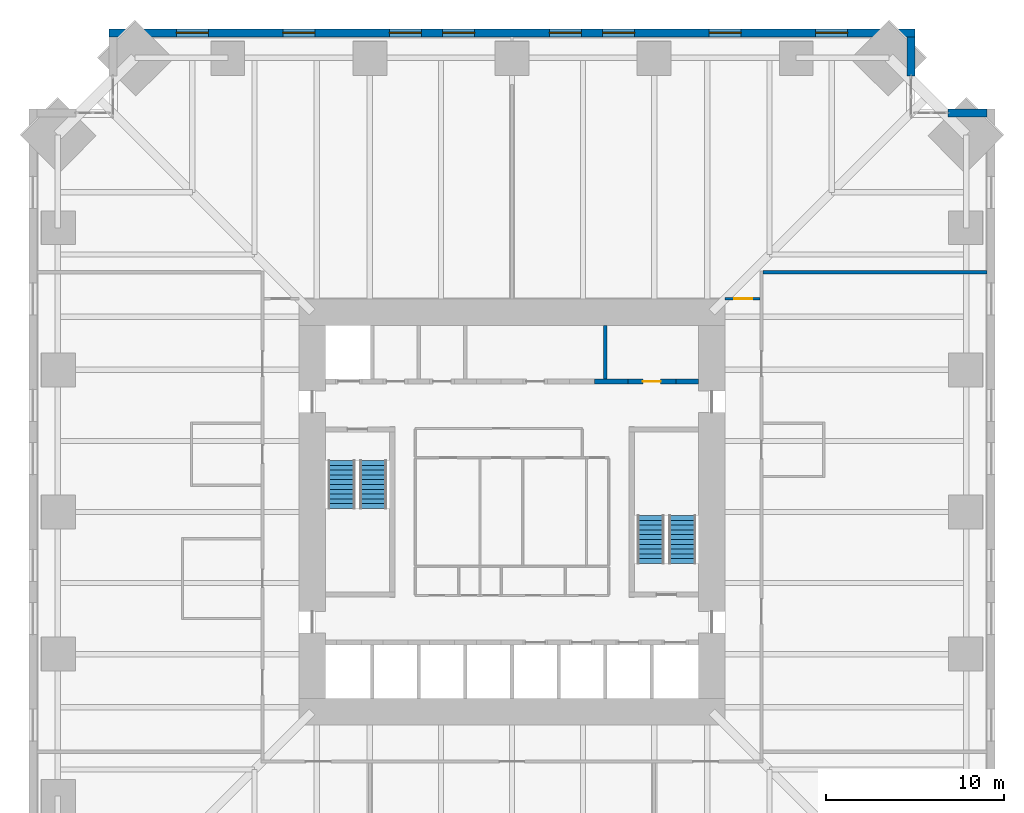
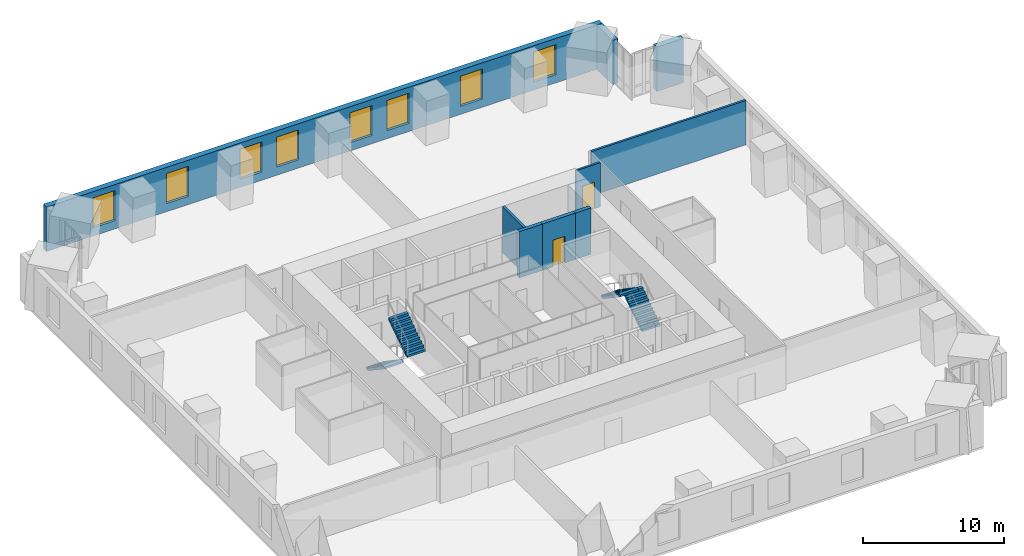
# One storey, part 15 of 16: 9 walls, 8 windows, 4 stair flights, 2 doors, 10 openings, 2 elements without a shape of their own.
"""IFC4 building model written with IfcOpenShell, lengths in metres."""

from ifc_helpers import new_model, si_unit, direction, frame, frame_2d, origin, place, context, subcontext, project, spatial, polyline, rectangle, outline, extrude, material, layer, layer_set, type_object, element, fill, aggregate, save


model = new_model("IFC4")

# Units and contexts
model_context = context("Model", 3, precision=1e-05, world=origin(), true_north=direction((0.0, 1.0)))
body_context = subcontext(model_context, "Body", "Model", "MODEL_VIEW")
ifc_project = project(units=[si_unit("LENGTHUNIT", "METRE"), si_unit("AREAUNIT", "SQUARE_METRE"), si_unit("VOLUMEUNIT", "CUBIC_METRE"), si_unit("PLANEANGLEUNIT", "RADIAN"), si_unit("MASSUNIT", "GRAM", prefix="KILO")], contexts=[model_context])

# Site, building, storey
site_placement = place(None, origin())
site = spatial("IfcSite", under=ifc_project, at=site_placement, CompositionType="ELEMENT")
building_placement = place(site_placement, origin())
building = spatial("IfcBuilding", under=site, at=building_placement, Name="Peilmerk Tower", CompositionType="ELEMENT")
storey_placement = place(building_placement, frame((0.0, 0.0, 131.800048828125)))
storey = spatial("IfcBuildingStorey", under=building, at=storey_placement, Name="L26", CompositionType="ELEMENT", Elevation=131.800048828125)

# Wall, openings, windows
ifc_material_1 = material(Name="Precast concrete C45/55, board-marked finish", Category="concrete")
ifc_layer_1 = layer(ifc_material_1, 0.449951171875)
ifc_layer_set_1 = layer_set([ifc_layer_1], Name="Precast concrete C45/55, board-marked finish")
wall_type_1 = type_object("IfcWallType", Name="EW1 450 precast concrete facade wall, board-marked", PredefinedType="SOLIDWALL", material=ifc_layer_set_1)
wall_1_placement = place(storey_placement, frame((22.699951171875, 26.97509765625, 0.0), z_axis=(0.0, 0.0, 1.0), x_axis=(-1.0, 0.0, 0.0)))
wall_1 = element("IfcWall", 1, at=wall_1_placement, inside=storey, type_object=wall_type_1, Name="Facade wall N L26", PredefinedType="SOLIDWALL", context=body_context, shape_type="SweptSolid", body=[
    extrude(rectangle(XDim=45.39990234375, YDim=0.449951171875, at=frame_2d((22.699951171875, 0.0))), origin(), (0.0, 0.0, 1.0), 3.829833984375),
])
opening_1_placement = place(wall_1_placement, frame((3.800048828125, 0.0, 0.699951171875)))
opening_1 = element("IfcOpeningElement", 2, at=opening_1_placement, cuts=wall_1, Name="Opening W1", PredefinedType="OPENING", context=body_context, shape_type="SweptSolid", body=[
    extrude(rectangle(XDim=1.800048828125, YDim=2.60009765625, at=frame_2d((0.89990234375, 1.300048828125))), frame((0.0, 0.23486328125, 0.0), z_axis=(0.0, -1.0, 0.0), x_axis=(1.0, 0.0, 0.0)), (0.0, 0.0, 1.0), 0.469970703125),
])
opening_2_placement = place(wall_1_placement, frame((9.800048828125, 0.0, 0.699951171875)))
opening_2 = element("IfcOpeningElement", 3, at=opening_2_placement, cuts=wall_1, Name="Opening W1", PredefinedType="OPENING", context=body_context, shape_type="SweptSolid", body=[
    extrude(rectangle(XDim=1.800048828125, YDim=2.60009765625, at=frame_2d((0.89990234375, 1.300048828125))), frame((0.0, 0.23486328125, 0.0), z_axis=(0.0, -1.0, 0.0), x_axis=(1.0, 0.0, 0.0)), (0.0, 0.0, 1.0), 0.469970703125),
])
opening_3_placement = place(wall_1_placement, frame((15.800048828125, 0.0, 0.699951171875)))
opening_3 = element("IfcOpeningElement", 4, at=opening_3_placement, cuts=wall_1, Name="Opening W1", PredefinedType="OPENING", context=body_context, shape_type="SweptSolid", body=[
    extrude(rectangle(XDim=1.800048828125, YDim=2.60009765625, at=frame_2d((0.89990234375, 1.300048828125))), frame((0.0, 0.23486328125, 0.0), z_axis=(0.0, -1.0, 0.0), x_axis=(1.0, 0.0, 0.0)), (0.0, 0.0, 1.0), 0.469970703125),
])
opening_4_placement = place(wall_1_placement, frame((18.800048828125, 0.0, 0.699951171875)))
opening_4 = element("IfcOpeningElement", 5, at=opening_4_placement, cuts=wall_1, Name="Opening W1", PredefinedType="OPENING", context=body_context, shape_type="SweptSolid", body=[
    extrude(rectangle(XDim=1.800048828125, YDim=2.60009765625, at=frame_2d((0.89990234375, 1.300048828125))), frame((0.0, 0.23486328125, 0.0), z_axis=(0.0, -1.0, 0.0), x_axis=(1.0, 0.0, 0.0)), (0.0, 0.0, 1.0), 0.469970703125),
])
opening_5_placement = place(wall_1_placement, frame((24.800048828125, 0.0, 0.699951171875)))
opening_5 = element("IfcOpeningElement", 6, at=opening_5_placement, cuts=wall_1, Name="Opening W1", PredefinedType="OPENING", context=body_context, shape_type="SweptSolid", body=[
    extrude(rectangle(XDim=1.800048828125, YDim=2.60009765625, at=frame_2d((0.89990234375, 1.300048828125))), frame((0.0, 0.23486328125, 0.0), z_axis=(0.0, -1.0, 0.0), x_axis=(1.0, 0.0, 0.0)), (0.0, 0.0, 1.0), 0.469970703125),
])
opening_6_placement = place(wall_1_placement, frame((27.800048828125, 0.0, 0.699951171875)))
opening_6 = element("IfcOpeningElement", 7, at=opening_6_placement, cuts=wall_1, Name="Opening W1", PredefinedType="OPENING", context=body_context, shape_type="SweptSolid", body=[
    extrude(rectangle(XDim=1.800048828125, YDim=2.60009765625, at=frame_2d((0.89990234375, 1.300048828125))), frame((0.0, 0.23486328125, 0.0), z_axis=(0.0, -1.0, 0.0), x_axis=(1.0, 0.0, 0.0)), (0.0, 0.0, 1.0), 0.469970703125),
])
opening_7_placement = place(wall_1_placement, frame((33.800048828125, 0.0, 0.699951171875)))
opening_7 = element("IfcOpeningElement", 8, at=opening_7_placement, cuts=wall_1, Name="Opening W1", PredefinedType="OPENING", context=body_context, shape_type="SweptSolid", body=[
    extrude(rectangle(XDim=1.800048828125, YDim=2.60009765625, at=frame_2d((0.89990234375, 1.300048828125))), frame((0.0, 0.23486328125, 0.0), z_axis=(0.0, -1.0, 0.0), x_axis=(1.0, 0.0, 0.0)), (0.0, 0.0, 1.0), 0.469970703125),
])
opening_8_placement = place(wall_1_placement, frame((39.800048828125, 0.0, 0.699951171875)))
opening_8 = element("IfcOpeningElement", 9, at=opening_8_placement, cuts=wall_1, Name="Opening W1", PredefinedType="OPENING", context=body_context, shape_type="SweptSolid", body=[
    extrude(rectangle(XDim=1.800048828125, YDim=2.60009765625, at=frame_2d((0.89990234375, 1.300048828125))), frame((0.0, 0.23486328125, 0.0), z_axis=(0.0, -1.0, 0.0), x_axis=(1.0, 0.0, 0.0)), (0.0, 0.0, 1.0), 0.469970703125),
])
ifc_material_2 = material(Name="Aluminium frame, clear double glazing", Category="aluminium")
window_type = type_object("IfcWindowType", Name="W1 1800x2600 office window", PartitioningType="SINGLE_PANEL", PredefinedType="WINDOW", material=ifc_material_2)
window_1_placement = place(opening_1_placement, origin())
window_1 = element("IfcWindow", 10, at=window_1_placement, inside=storey, type_object=window_type, Name="Window W1 L26", OverallHeight=2.60009765625, OverallWidth=1.800048828125, PartitioningType="SINGLE_PANEL", PredefinedType="WINDOW", context=body_context, shape_type="SweptSolid", body=[
    extrude(rectangle(XDim=1.800048828125, YDim=2.60009765625, at=frame_2d((0.89990234375, 1.300048828125))), frame((0.0, 0.030029296875, 0.0), z_axis=(0.0, -1.0, 0.0), x_axis=(1.0, 0.0, 0.0)), (0.0, 0.0, 1.0), 0.06005859375),
])
fill(opening_1, window_1)
window_2_placement = place(opening_2_placement, origin())
window_2 = element("IfcWindow", 11, at=window_2_placement, inside=storey, type_object=window_type, Name="Window W1 L26", OverallHeight=2.60009765625, OverallWidth=1.800048828125, PartitioningType="SINGLE_PANEL", PredefinedType="WINDOW", context=body_context, shape_type="SweptSolid", body=[
    extrude(rectangle(XDim=1.800048828125, YDim=2.60009765625, at=frame_2d((0.89990234375, 1.300048828125))), frame((0.0, 0.030029296875, 0.0), z_axis=(0.0, -1.0, 0.0), x_axis=(1.0, 0.0, 0.0)), (0.0, 0.0, 1.0), 0.06005859375),
])
fill(opening_2, window_2)
window_3_placement = place(opening_3_placement, origin())
window_3 = element("IfcWindow", 12, at=window_3_placement, inside=storey, type_object=window_type, Name="Window W1 L26", OverallHeight=2.60009765625, OverallWidth=1.800048828125, PartitioningType="SINGLE_PANEL", PredefinedType="WINDOW", context=body_context, shape_type="SweptSolid", body=[
    extrude(rectangle(XDim=1.800048828125, YDim=2.60009765625, at=frame_2d((0.89990234375, 1.300048828125))), frame((0.0, 0.030029296875, 0.0), z_axis=(0.0, -1.0, 0.0), x_axis=(1.0, 0.0, 0.0)), (0.0, 0.0, 1.0), 0.06005859375),
])
fill(opening_3, window_3)
window_4_placement = place(opening_4_placement, origin())
window_4 = element("IfcWindow", 13, at=window_4_placement, inside=storey, type_object=window_type, Name="Window W1 L26", OverallHeight=2.60009765625, OverallWidth=1.800048828125, PartitioningType="SINGLE_PANEL", PredefinedType="WINDOW", context=body_context, shape_type="SweptSolid", body=[
    extrude(rectangle(XDim=1.800048828125, YDim=2.60009765625, at=frame_2d((0.89990234375, 1.300048828125))), frame((0.0, 0.030029296875, 0.0), z_axis=(0.0, -1.0, 0.0), x_axis=(1.0, 0.0, 0.0)), (0.0, 0.0, 1.0), 0.06005859375),
])
fill(opening_4, window_4)
window_5_placement = place(opening_5_placement, origin())
window_5 = element("IfcWindow", 14, at=window_5_placement, inside=storey, type_object=window_type, Name="Window W1 L26", OverallHeight=2.60009765625, OverallWidth=1.800048828125, PartitioningType="SINGLE_PANEL", PredefinedType="WINDOW", context=body_context, shape_type="SweptSolid", body=[
    extrude(rectangle(XDim=1.800048828125, YDim=2.60009765625, at=frame_2d((0.89990234375, 1.300048828125))), frame((0.0, 0.030029296875, 0.0), z_axis=(0.0, -1.0, 0.0), x_axis=(1.0, 0.0, 0.0)), (0.0, 0.0, 1.0), 0.06005859375),
])
fill(opening_5, window_5)
window_6_placement = place(opening_6_placement, origin())
window_6 = element("IfcWindow", 15, at=window_6_placement, inside=storey, type_object=window_type, Name="Window W1 L26", OverallHeight=2.60009765625, OverallWidth=1.800048828125, PartitioningType="SINGLE_PANEL", PredefinedType="WINDOW", context=body_context, shape_type="SweptSolid", body=[
    extrude(rectangle(XDim=1.800048828125, YDim=2.60009765625, at=frame_2d((0.89990234375, 1.300048828125))), frame((0.0, 0.030029296875, 0.0), z_axis=(0.0, -1.0, 0.0), x_axis=(1.0, 0.0, 0.0)), (0.0, 0.0, 1.0), 0.06005859375),
])
fill(opening_6, window_6)
window_7_placement = place(opening_7_placement, origin())
window_7 = element("IfcWindow", 16, at=window_7_placement, inside=storey, type_object=window_type, Name="Window W1 L26", OverallHeight=2.60009765625, OverallWidth=1.800048828125, PartitioningType="SINGLE_PANEL", PredefinedType="WINDOW", context=body_context, shape_type="SweptSolid", body=[
    extrude(rectangle(XDim=1.800048828125, YDim=2.60009765625, at=frame_2d((0.89990234375, 1.300048828125))), frame((0.0, 0.030029296875, 0.0), z_axis=(0.0, -1.0, 0.0), x_axis=(1.0, 0.0, 0.0)), (0.0, 0.0, 1.0), 0.06005859375),
])
fill(opening_7, window_7)
window_8_placement = place(opening_8_placement, origin())
window_8 = element("IfcWindow", 17, at=window_8_placement, inside=storey, type_object=window_type, Name="Window W1 L26", OverallHeight=2.60009765625, OverallWidth=1.800048828125, PartitioningType="SINGLE_PANEL", PredefinedType="WINDOW", context=body_context, shape_type="SweptSolid", body=[
    extrude(rectangle(XDim=1.800048828125, YDim=2.60009765625, at=frame_2d((0.89990234375, 1.300048828125))), frame((0.0, 0.030029296875, 0.0), z_axis=(0.0, -1.0, 0.0), x_axis=(1.0, 0.0, 0.0)), (0.0, 0.0, 1.0), 0.06005859375),
])
fill(opening_8, window_8)

# Walls
for number, where, z_axis, x_axis, name in (
    (18, (22.47509765625, 24.5537109375, 0.0), (0.0, 0.0, 1.0), (0.0, 1.0, 0.0), "Facade wall NEA L26"),
    (19, (24.5537109375, 22.47509765625, 0.0), (0.0, 0.0, 1.0), (1.0, 0.0, 0.0), "Facade wall NEB L26"),
):
    element("IfcWall", number, at=place(storey_placement, frame(where, z_axis=z_axis, x_axis=x_axis)), inside=storey, type_object=wall_type_1, Name=name, PredefinedType="SOLIDWALL", context=body_context, shape_type="SweptSolid", body=[
        extrude(rectangle(XDim=2.1962890625, YDim=0.449951171875, at=frame_2d((1.09814453125, 0.0))), origin(), (0.0, 0.0, 1.0), 3.829833984375),
    ])

# Wall, opening, door
ifc_material_3 = material(Name="Calcium silicate block", Category="masonry")
ifc_layer_2 = layer(ifc_material_3, 0.14990234375)
ifc_layer_set_2 = layer_set([ifc_layer_2], Name="Calcium silicate block")
wall_type_2 = type_object("IfcWallType", Name="IW1 150 corridor partition, EI 60", PredefinedType="PARTITIONING", material=ifc_layer_set_2)
wall_2_placement = place(storey_placement, frame((12.0, 12.0, 0.0), z_axis=(0.0, 0.0, 1.0), x_axis=(1.0, 0.0, 0.0)))
wall_2 = element("IfcWall", 20, at=wall_2_placement, inside=storey, type_object=wall_type_2, Name="Corridor wall NE L26", PredefinedType="PARTITIONING", context=body_context, shape_type="SweptSolid", body=[
    extrude(rectangle(XDim=1.97509765625, YDim=0.14990234375, at=frame_2d((0.987548828125, 0.0))), origin(), (0.0, 0.0, 1.0), 3.829833984375),
])
opening_9_placement = place(wall_2_placement, frame((0.52490234375, 0.0, 0.0)))
opening_9 = element("IfcOpeningElement", 21, at=opening_9_placement, cuts=wall_2, Name="Opening D1", PredefinedType="OPENING", context=body_context, shape_type="SweptSolid", body=[
    extrude(rectangle(XDim=1.0, YDim=2.300048828125, at=frame_2d((0.5, 1.14990234375))), frame((0.0, 0.0849609375, 0.0), z_axis=(0.0, -1.0, 0.0), x_axis=(1.0, 0.0, 0.0)), (0.0, 0.0, 1.0), 0.169921875),
])
ifc_material_4 = material(Name="Timber door in steel frame", Category="steel")
door_type_1 = type_object("IfcDoorType", Name="D1 1000x2300 room door, EI2 30", OperationType="SINGLE_SWING_LEFT", PredefinedType="DOOR", material=ifc_material_4)
door_1_placement = place(opening_9_placement, origin())
door_1 = element("IfcDoor", 22, at=door_1_placement, inside=storey, type_object=door_type_1, Name="Door Tenant suite L26", OperationType="SINGLE_SWING_LEFT", OverallHeight=2.300048828125, OverallWidth=1.0, PredefinedType="DOOR", context=body_context, shape_type="SweptSolid", body=[
    extrude(rectangle(XDim=1.0, YDim=2.300048828125, at=frame_2d((0.5, 1.14990234375))), frame((0.0, 0.02490234375, 0.0), z_axis=(0.0, -1.0, 0.0), x_axis=(1.0, 0.0, 0.0)), (0.0, 0.0, 1.0), 0.050048828125),
])
fill(opening_9, door_1)

# Walls
ifc_layer_3 = layer(ifc_material_3, 0.175048828125)
ifc_layer_set_3 = layer_set([ifc_layer_3], Name="Calcium silicate block")
wall_type_3 = type_object("IfcWallType", Name="IW8 175 tenant separating wall, EI 60", PredefinedType="PARTITIONING", material=ifc_layer_set_3)
wall_3_placement = place(storey_placement, frame((14.125, 13.5, 0.0), z_axis=(0.0, 0.0, 1.0), x_axis=(1.0, 0.0, 0.0)))
element("IfcWall", 23, at=wall_3_placement, inside=storey, type_object=wall_type_3, Name="Tenant separating wall NE L26", PredefinedType="PARTITIONING", context=body_context, shape_type="SweptSolid", body=[
    extrude(rectangle(XDim=12.625, YDim=0.175048828125, at=frame_2d((6.3125, 0.0))), origin(), (0.0, 0.0, 1.0), 3.829833984375),
])
ifc_layer_4 = layer(ifc_material_3, 0.199951171875)
ifc_layer_set_4 = layer_set([ifc_layer_4], Name="Calcium silicate block")
wall_type_4 = type_object("IfcWallType", Name="SH1 200 shaft dividing wall, EI 120", PredefinedType="PARTITIONING", material=ifc_layer_set_4)
wall_4_placement = place(storey_placement, frame((5.25, 7.5, 0.0), z_axis=(0.0, 0.0, 1.0), x_axis=(0.0, 1.0, 0.0)))
element("IfcWall", 24, at=wall_4_placement, inside=storey, type_object=wall_type_4, Name="Shaft wall N S2 L26", PredefinedType="PARTITIONING", context=body_context, shape_type="SweptSolid", body=[
    extrude(rectangle(XDim=3.0, YDim=0.199951171875, at=frame_2d((1.5, 0.0))), origin(), (0.0, 0.0, 1.0), 4.0),
])

# Wall, opening, door
ifc_layer_5 = layer(ifc_material_3, 0.300048828125)
ifc_layer_set_5 = layer_set([ifc_layer_5], Name="Calcium silicate block")
wall_type_5 = type_object("IfcWallType", Name="SH2 300 lift landing door panel, EI 120", PredefinedType="PARTITIONING", material=ifc_layer_set_5)
wall_5_placement = place(storey_placement, frame((6.52490234375, 7.35009765625, 0.0), z_axis=(0.0, 0.0, 1.0), x_axis=(1.0, 0.0, 0.0)))
wall_5 = element("IfcWall", 25, at=wall_5_placement, inside=storey, type_object=wall_type_5, Name="Lift door panel N GL1 L26", PredefinedType="PARTITIONING", context=body_context, shape_type="SweptSolid", body=[
    extrude(rectangle(XDim=2.7001953125, YDim=0.300048828125, at=frame_2d((1.35009765625, 0.0))), origin(), (0.0, 0.0, 1.0), 4.0),
])
opening_10_placement = place(wall_5_placement, frame((0.85009765625, 0.0, 0.0)))
opening_10 = element("IfcOpeningElement", 26, at=opening_10_placement, cuts=wall_5, Name="Opening D10", PredefinedType="OPENING", context=body_context, shape_type="SweptSolid", body=[
    extrude(rectangle(XDim=1.0, YDim=2.300048828125, at=frame_2d((0.5, 1.14990234375))), frame((0.0, 0.159912109375, 0.0), z_axis=(0.0, -1.0, 0.0), x_axis=(1.0, 0.0, 0.0)), (0.0, 0.0, 1.0), 0.320068359375),
])
ifc_material_5 = material(Name="Steel door in steel frame", Category="steel")
door_type_2 = type_object("IfcDoorType", Name="D10 1000x2300 core room door, EI2 60", OperationType="SINGLE_SWING_RIGHT", PredefinedType="DOOR", material=ifc_material_5)
door_2_placement = place(opening_10_placement, origin())
door_2 = element("IfcDoor", 27, at=door_2_placement, inside=storey, type_object=door_type_2, Name="Door IT room L26", OperationType="SINGLE_SWING_RIGHT", OverallHeight=2.300048828125, OverallWidth=1.0, PredefinedType="DOOR", context=body_context, shape_type="SweptSolid", body=[
    extrude(rectangle(XDim=1.0, YDim=2.300048828125, at=frame_2d((0.5, 1.14990234375))), frame((0.0, 0.02490234375, 0.0), z_axis=(0.0, -1.0, 0.0), x_axis=(1.0, 0.0, 0.0)), (0.0, 0.0, 1.0), 0.050048828125),
])
fill(opening_10, door_2)

# Walls
ifc_material_6 = material(Name="Concrete C55/67", Category="concrete")
ifc_layer_6 = layer(ifc_material_6, 0.300048828125)
ifc_layer_set_6 = layer_set([ifc_layer_6], Name="Concrete C55/67")
wall_type_6 = type_object("IfcWallType", Name="SW2 300 lift bank pier", PredefinedType="SHEAR", material=ifc_layer_set_6)
wall_6_placement = place(storey_placement, frame((4.637451171875, 7.35009765625, 0.0), z_axis=(0.0, 0.0, 1.0), x_axis=(1.0, 0.0, 0.0)))
element("IfcWall", 28, at=wall_6_placement, inside=storey, type_object=wall_type_6, Name="Lift bank pier N L26", PredefinedType="SHEAR", context=body_context, shape_type="SweptSolid", body=[
    extrude(rectangle(XDim=1.887451171875, YDim=0.300048828125, at=frame_2d((0.94384765625, 0.0))), origin(), (0.0, 0.0, 1.0), 4.0),
])
wall_7_placement = place(storey_placement, frame((9.22509765625, 7.35009765625, 0.0), z_axis=(0.0, 0.0, 1.0), x_axis=(1.0, 0.0, 0.0)))
element("IfcWall", 29, at=wall_7_placement, inside=storey, type_object=wall_type_6, Name="Lift bank pier N L26", PredefinedType="SHEAR", context=body_context, shape_type="SweptSolid", body=[
    extrude(rectangle(XDim=1.27490234375, YDim=0.300048828125, at=frame_2d((0.637451171875, 0.0))), origin(), (0.0, 0.0, 1.0), 4.0),
])

# Stair, stair flights
ifc_material_7 = material(Name="Precast concrete C45/55", Category="concrete")
stair_type_1 = type_object("IfcStairType", Name="ST1 22 risers of 181.8", PredefinedType="HALF_TURN_STAIR", material=ifc_material_7)
stair_1_placement = place(storey_placement, origin())
stair_1 = element("IfcStair", 30, at=stair_1_placement, inside=storey, type_object=stair_type_1, Name="Stair 1 L26 to L27", PredefinedType="HALF_TURN_STAIR")
stair_flight_type = type_object("IfcStairFlightType", Name="SF11 flight, 11 risers of 181.8", PredefinedType="STRAIGHT", material=ifc_material_7)
stair_flight_1_placement = place(storey_placement, frame((-9.60009765625, 2.89990234375, 0.0), z_axis=(0.0, 0.0, 1.0), x_axis=(0.0, -1.0, 0.0)))
stair_flight_1 = element("IfcStairFlight", 31, at=stair_flight_1_placement, type_object=stair_flight_type, Name="ST1 flight 1", NumberOfRisers=11, NumberOfTreads=10, PredefinedType="STRAIGHT", RiserHeight=0.181818182, TreadLength=0.27, context=body_context, shape_type="SweptSolid", body=[
    extrude(outline(polyline([(0.0, 0.0), (0.0, 0.181884765625), (0.27001953125, 0.181884765625), (0.27001953125, 0.363525390625), (0.5400390625, 0.363525390625), (0.5400390625, 0.54541015625), (0.81005859375, 0.54541015625), (0.81005859375, 0.727294921875), (1.080078125, 0.727294921875), (1.080078125, 0.9091796875), (1.35009765625, 0.9091796875), (1.35009765625, 1.0908203125), (1.6201171875, 1.0908203125), (1.6201171875, 1.272705078125), (1.889892578125, 1.272705078125), (1.889892578125, 1.45458984375), (2.159912109375, 1.45458984375), (2.159912109375, 1.636474609375), (2.429931640625, 1.636474609375), (2.429931640625, 1.818115234375), (2.699951171875, 1.818115234375), (2.699951171875, 2.0), (2.699951171875, 1.637451171875), (0.268310546875, 0.0), (0.0, 0.0)])), frame((0.0, 0.75, 0.0), z_axis=(0.0, -1.0, 0.0), x_axis=(1.0, 0.0, 0.0)), (0.0, 0.0, 1.0), 1.5),
])
stair_flight_2_placement = place(storey_placement, frame((-7.800048828125, 0.199951171875, 2.0), z_axis=(0.0, 0.0, 1.0), x_axis=(0.0, 1.0, 0.0)))
stair_flight_2 = element("IfcStairFlight", 32, at=stair_flight_2_placement, type_object=stair_flight_type, Name="ST1 flight 2", NumberOfRisers=11, NumberOfTreads=10, PredefinedType="STRAIGHT", RiserHeight=0.181818182, TreadLength=0.27, context=body_context, shape_type="SweptSolid", body=[
    extrude(outline(polyline([(0.0, 0.0), (0.0, 0.181884765625), (0.27001953125, 0.181884765625), (0.27001953125, 0.363525390625), (0.5400390625, 0.363525390625), (0.5400390625, 0.54541015625), (0.81005859375, 0.54541015625), (0.81005859375, 0.727294921875), (1.080078125, 0.727294921875), (1.080078125, 0.9091796875), (1.35009765625, 0.9091796875), (1.35009765625, 1.0908203125), (1.6201171875, 1.0908203125), (1.6201171875, 1.272705078125), (1.889892578125, 1.272705078125), (1.889892578125, 1.45458984375), (2.159912109375, 1.45458984375), (2.159912109375, 1.636474609375), (2.429931640625, 1.636474609375), (2.429931640625, 1.818115234375), (2.699951171875, 1.818115234375), (2.699951171875, 2.0), (2.699951171875, 1.637451171875), (0.268310546875, 0.0), (0.0, 0.0)])), frame((0.0, 0.75, 0.0), z_axis=(0.0, -1.0, 0.0), x_axis=(1.0, 0.0, 0.0)), (0.0, 0.0, 1.0), 1.5),
])
aggregate(stair_1, [stair_flight_1, stair_flight_2])

stair_type_2 = type_object("IfcStairType", Name="ST2 22 risers of 181.8", PredefinedType="HALF_TURN_STAIR", material=ifc_material_7)
stair_2_placement = place(storey_placement, origin())
stair_2 = element("IfcStair", 33, at=stair_2_placement, inside=storey, type_object=stair_type_2, Name="Stair 2 L26 to L27", PredefinedType="HALF_TURN_STAIR")
stair_flight_3_placement = place(storey_placement, frame((9.60009765625, -2.89990234375, 0.0), z_axis=(0.0, 0.0, 1.0), x_axis=(0.0, 1.0, 0.0)))
stair_flight_3 = element("IfcStairFlight", 34, at=stair_flight_3_placement, type_object=stair_flight_type, Name="ST2 flight 1", NumberOfRisers=11, NumberOfTreads=10, PredefinedType="STRAIGHT", RiserHeight=0.181818182, TreadLength=0.27, context=body_context, shape_type="SweptSolid", body=[
    extrude(outline(polyline([(0.0, 0.0), (0.0, 0.181884765625), (0.27001953125, 0.181884765625), (0.27001953125, 0.363525390625), (0.5400390625, 0.363525390625), (0.5400390625, 0.54541015625), (0.81005859375, 0.54541015625), (0.81005859375, 0.727294921875), (1.080078125, 0.727294921875), (1.080078125, 0.9091796875), (1.35009765625, 0.9091796875), (1.35009765625, 1.0908203125), (1.6201171875, 1.0908203125), (1.6201171875, 1.272705078125), (1.889892578125, 1.272705078125), (1.889892578125, 1.45458984375), (2.159912109375, 1.45458984375), (2.159912109375, 1.636474609375), (2.429931640625, 1.636474609375), (2.429931640625, 1.818115234375), (2.699951171875, 1.818115234375), (2.699951171875, 2.0), (2.699951171875, 1.637451171875), (0.268310546875, 0.0), (0.0, 0.0)])), frame((0.0, 0.75, 0.0), z_axis=(0.0, -1.0, 0.0), x_axis=(1.0, 0.0, 0.0)), (0.0, 0.0, 1.0), 1.5),
])
stair_flight_4_placement = place(storey_placement, frame((7.800048828125, -0.199951171875, 2.0), z_axis=(0.0, 0.0, 1.0), x_axis=(0.0, -1.0, 0.0)))
stair_flight_4 = element("IfcStairFlight", 35, at=stair_flight_4_placement, type_object=stair_flight_type, Name="ST2 flight 2", NumberOfRisers=11, NumberOfTreads=10, PredefinedType="STRAIGHT", RiserHeight=0.181818182, TreadLength=0.27, context=body_context, shape_type="SweptSolid", body=[
    extrude(outline(polyline([(0.0, 0.0), (0.0, 0.181884765625), (0.27001953125, 0.181884765625), (0.27001953125, 0.363525390625), (0.5400390625, 0.363525390625), (0.5400390625, 0.54541015625), (0.81005859375, 0.54541015625), (0.81005859375, 0.727294921875), (1.080078125, 0.727294921875), (1.080078125, 0.9091796875), (1.35009765625, 0.9091796875), (1.35009765625, 1.0908203125), (1.6201171875, 1.0908203125), (1.6201171875, 1.272705078125), (1.889892578125, 1.272705078125), (1.889892578125, 1.45458984375), (2.159912109375, 1.45458984375), (2.159912109375, 1.636474609375), (2.429931640625, 1.636474609375), (2.429931640625, 1.818115234375), (2.699951171875, 1.818115234375), (2.699951171875, 2.0), (2.699951171875, 1.637451171875), (0.268310546875, 0.0), (0.0, 0.0)])), frame((0.0, 0.75, 0.0), z_axis=(0.0, -1.0, 0.0), x_axis=(1.0, 0.0, 0.0)), (0.0, 0.0, 1.0), 1.5),
])
aggregate(stair_2, [stair_flight_3, stair_flight_4])

save(model, "model.ifc")
